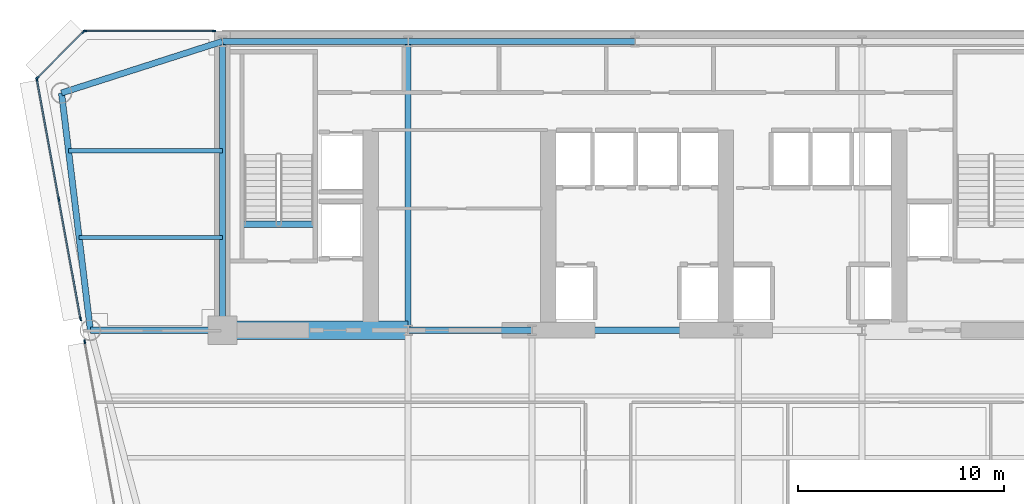
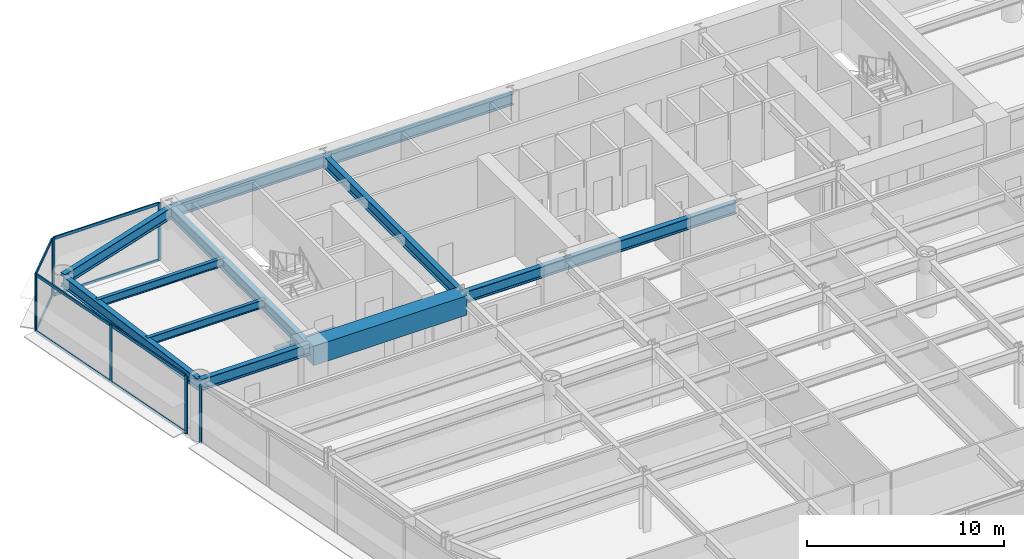
# One storey, part 5 of 14: 16 members, 13 beams, 4 elements without a shape of their own.
"""IFC4 building model written with IfcOpenShell, lengths in metres."""

from ifc_helpers import new_model, si_unit, direction, frame, origin, origin_2d, place, context, subcontext, project, spatial, rectangle, i_section, extrude, source, transform, mapped, material, layer, layer_set, material_profile, profile_set, type_object, element, aggregate, save


model = new_model("IFC4")

# Units and contexts
model_context = context("Model", 3, precision=1e-05, world=origin(), true_north=direction((0.0, 1.0)))
body_context = subcontext(model_context, "Body", "Model", "MODEL_VIEW")
ifc_project = project(units=[si_unit("LENGTHUNIT", "METRE"), si_unit("AREAUNIT", "SQUARE_METRE"), si_unit("VOLUMEUNIT", "CUBIC_METRE"), si_unit("PLANEANGLEUNIT", "RADIAN"), si_unit("MASSUNIT", "GRAM", prefix="KILO")], contexts=[model_context])

# Site, building, storey
site_placement = place(None, origin())
site = spatial("IfcSite", under=ifc_project, at=site_placement, CompositionType="ELEMENT")
building_placement = place(site_placement, origin())
building = spatial("IfcBuilding", under=site, at=building_placement, Name="Vaeldorn Concourse Tower", CompositionType="ELEMENT")
storey_placement = place(building_placement, frame((0.0, 0.0, 111.0)))
storey = spatial("IfcBuildingStorey", under=building, at=storey_placement, Name="L28", CompositionType="ELEMENT", Elevation=111.0)

# Beams
ifc_material_1 = material(Name="Concrete C60/75", Category="concrete")
ifc_material_profile_1 = material_profile(ifc_material_1, rectangle(XDim=0.89990234375, YDim=1.199951171875, at=origin_2d()), Name="RC 900x1200")
ifc_profile_set_1 = profile_set([ifc_material_profile_1], Name="Concrete C60/75")
beam_type_1 = type_object("IfcBeamType", Name="BM-CB-RC900", PredefinedType="BEAM", material=ifc_profile_set_1)
shared_shape_1 = source(origin(), body_context, "Body", "SweptSolid", [
    extrude(rectangle(XDim=0.89990234375, YDim=1.199951171875, at=origin_2d()), origin(), (0.0, 0.0, 1.0), 9.0),
])
beam_1_placement = place(storey_placement, frame((14.0, 36.5, 2.97998046875), z_axis=(1.0, 0.0, 0.0), x_axis=(0.0, 1.0, 0.0)))
element("IfcBeam", 1, at=beam_1_placement, inside=storey, type_object=beam_type_1, Name="Core Coupling Beam L28-1", PredefinedType="BEAM", context=body_context, shape_type="MappedRepresentation", body=[
    mapped(shared_shape_1, transform((0.0, 0.0, 0.0), scale=1.0)),
])
ifc_material_2 = material(Name="Steel S355", Category="steel")
ifc_material_profile_2 = material_profile(ifc_material_2, i_section(OverallWidth=0.300048828125, OverallDepth=0.340087890625, WebThickness=0.011962890625, FlangeThickness=0.021484375, FilletRadius=0.027099609375, at=origin_2d()), Name="HEB 340")
ifc_profile_set_2 = profile_set([ifc_material_profile_2], Name="Steel S355")
beam_type_2 = type_object("IfcBeamType", Name="BM-ST-TRIM", PredefinedType="BEAM", material=ifc_profile_set_2)
shared_shape_2 = source(origin(), body_context, "Body", "SweptSolid", [
    extrude(i_section(OverallWidth=0.300048828125, OverallDepth=0.340087890625, WebThickness=0.011962890625, FlangeThickness=0.021484375, FilletRadius=0.027099609375, at=origin_2d()), origin(), (0.0, 0.0, 1.0), 3.590087890625),
])
beam_2_placement = place(storey_placement, frame((14.929931640625, 41.639892578125, -0.389892578125), z_axis=(1.0, 0.0, 0.0), x_axis=(0.0, 1.0, 0.0)))
element("IfcBeam", 2, at=beam_2_placement, inside=storey, type_object=beam_type_2, Name="Stair Landing Trimmer Beam ST-1 L28", PredefinedType="BEAM", context=body_context, shape_type="MappedRepresentation", body=[
    mapped(shared_shape_2, transform((0.0, 0.0, 0.0), scale=1.0)),
])
ifc_material_profile_3 = material_profile(ifc_material_2, i_section(OverallWidth=0.199951171875, OverallDepth=0.5, WebThickness=0.01025390625, FlangeThickness=0.01611328125, FilletRadius=0.02099609375, at=origin_2d()), Name="IPE 500")
ifc_profile_set_3 = profile_set([ifc_material_profile_3], Name="Steel S355")
beam_type_3 = type_object("IfcBeamType", Name="BM-JS-IPE500", PredefinedType="JOIST", material=ifc_profile_set_3)
shared_shape_3 = source(origin(), body_context, "Body", "SweptSolid", [
    extrude(i_section(OverallWidth=0.199951171875, OverallDepth=0.5, WebThickness=0.01025390625, FlangeThickness=0.01611328125, FilletRadius=0.02099609375, at=origin_2d()), origin(), (0.0, 0.0, 1.0), 6.94775390625),
])
beam_3_placement = place(storey_placement, frame((7.05224609375, 41.0, 3.330078125), z_axis=(1.0, 0.0, 0.0), x_axis=(0.0, 1.0, 0.0)))
element("IfcBeam", 3, at=beam_3_placement, inside=storey, type_object=beam_type_3, Name="Beam JS-L28-NW-410", PredefinedType="JOIST", context=body_context, shape_type="MappedRepresentation", body=[
    mapped(shared_shape_3, transform((0.0, 0.0, 0.0), scale=1.0)),
])
shared_shape_4 = source(origin(), body_context, "Body", "SweptSolid", [
    extrude(i_section(OverallWidth=0.199951171875, OverallDepth=0.5, WebThickness=0.01025390625, FlangeThickness=0.01611328125, FilletRadius=0.02099609375, at=origin_2d()), origin(), (0.0, 0.0, 1.0), 7.458984375),
])
beam_4_placement = place(storey_placement, frame((6.541015625, 45.199951171875, 3.330078125), z_axis=(1.0, 0.0, 0.0), x_axis=(0.0, 1.0, 0.0)))
element("IfcBeam", 4, at=beam_4_placement, inside=storey, type_object=beam_type_3, Name="Beam JS-L28-NW-452", PredefinedType="JOIST", context=body_context, shape_type="MappedRepresentation", body=[
    mapped(shared_shape_4, transform((0.0, 0.0, 0.0), scale=1.0)),
])
ifc_material_profile_4 = material_profile(ifc_material_2, i_section(OverallWidth=0.300048828125, OverallDepth=0.699951171875, WebThickness=0.01708984375, FlangeThickness=0.031982421875, FilletRadius=0.027099609375, at=origin_2d()), Name="HEB 700")
ifc_profile_set_4 = profile_set([ifc_material_profile_4], Name="Steel S355")
beam_type_4 = type_object("IfcBeamType", Name="BM-PG-HEB700", PredefinedType="BEAM", material=ifc_profile_set_4)
shared_shape_5 = source(origin(), body_context, "Body", "SweptSolid", [
    extrude(i_section(OverallWidth=0.300048828125, OverallDepth=0.699951171875, WebThickness=0.01708984375, FlangeThickness=0.031982421875, FilletRadius=0.027099609375, at=origin_2d()), origin(), (0.0, 0.0, 1.0), 6.0),
])
beam_5_placement = place(storey_placement, frame((23.0, 36.5, 3.22998046875), z_axis=(1.0, 0.0, 0.0), x_axis=(0.0, 1.0, 0.0)))
element("IfcBeam", 5, at=beam_5_placement, inside=storey, type_object=beam_type_4, Name="Beam BM-L28-C-FC2-C-FC3", PredefinedType="BEAM", context=body_context, shape_type="MappedRepresentation", body=[
    mapped(shared_shape_5, transform((0.0, 0.0, 0.0), scale=1.0)),
])
shared_shape_6 = source(origin(), body_context, "Body", "SweptSolid", [
    extrude(i_section(OverallWidth=0.300048828125, OverallDepth=0.699951171875, WebThickness=0.01708984375, FlangeThickness=0.031982421875, FilletRadius=0.027099609375, at=origin_2d()), origin(), (0.0, 0.0, 1.0), 10.0),
])
beam_6_placement = place(storey_placement, frame((29.0, 36.5, 3.22998046875), z_axis=(1.0, 0.0, 0.0), x_axis=(0.0, 1.0, 0.0)))
element("IfcBeam", 6, at=beam_6_placement, inside=storey, type_object=beam_type_4, Name="Beam BM-L28-C-FC3-C-FC4", PredefinedType="BEAM", context=body_context, shape_type="MappedRepresentation", body=[
    mapped(shared_shape_6, transform((0.0, 0.0, 0.0), scale=1.0)),
])
shared_shape_7 = source(origin(), body_context, "Body", "SweptSolid", [
    extrude(i_section(OverallWidth=0.300048828125, OverallDepth=0.699951171875, WebThickness=0.01708984375, FlangeThickness=0.031982421875, FilletRadius=0.027099609375, at=origin_2d()), origin(), (0.0, 0.0, 1.0), 9.0),
])
beam_7_placement = place(storey_placement, frame((14.0, 50.5, 3.22998046875), z_axis=(1.0, 0.0, 0.0), x_axis=(0.0, 1.0, 0.0)))
element("IfcBeam", 7, at=beam_7_placement, inside=storey, type_object=beam_type_4, Name="Beam BM-L28-C-HC1-C-HC2", PredefinedType="BEAM", context=body_context, shape_type="MappedRepresentation", body=[
    mapped(shared_shape_7, transform((0.0, 0.0, 0.0), scale=1.0)),
])
shared_shape_8 = source(origin(), body_context, "Body", "SweptSolid", [
    extrude(i_section(OverallWidth=0.300048828125, OverallDepth=0.699951171875, WebThickness=0.01708984375, FlangeThickness=0.031982421875, FilletRadius=0.027099609375, at=origin_2d()), origin(), (0.0, 0.0, 1.0), 11.0),
])
beam_8_placement = place(storey_placement, frame((23.0, 50.5, 3.22998046875), z_axis=(1.0, 0.0, 0.0), x_axis=(0.0, 1.0, 0.0)))
element("IfcBeam", 8, at=beam_8_placement, inside=storey, type_object=beam_type_4, Name="Beam BM-L28-C-HC2-C-HC3", PredefinedType="BEAM", context=body_context, shape_type="MappedRepresentation", body=[
    mapped(shared_shape_8, transform((0.0, 0.0, 0.0), scale=1.0)),
])
shared_shape_9 = source(origin(), body_context, "Body", "SweptSolid", [
    extrude(i_section(OverallWidth=0.300048828125, OverallDepth=0.699951171875, WebThickness=0.01708984375, FlangeThickness=0.031982421875, FilletRadius=0.027099609375, at=origin_2d()), origin(), (0.0, 0.0, 1.0), 14.0),
])
for number, where, z_axis, x_axis, name in (
    (9, (14.0, 36.5, 3.22998046875), (0.0, 1.0, 0.0), (-1.0, 0.0, 0.0), "Beam BM-L28-C-FC1-C-HC1"),
    (10, (23.0, 36.5, 3.22998046875), (0.0, 1.0, 0.0), (-1.0, 0.0, 0.0), "Beam BM-L28-C-FC2-C-HC2"),
):
    element("IfcBeam", number, at=place(storey_placement, frame(where, z_axis=z_axis, x_axis=x_axis)), inside=storey, type_object=beam_type_4, Name=name, PredefinedType="BEAM", context=body_context, shape_type="MappedRepresentation", body=[
        mapped(shared_shape_9, transform((0.0, 0.0, 0.0), scale=1.0)),
    ])
shared_shape_10 = source(origin(), body_context, "Body", "SweptSolid", [
    extrude(i_section(OverallWidth=0.300048828125, OverallDepth=0.699951171875, WebThickness=0.01708984375, FlangeThickness=0.031982421875, FilletRadius=0.027099609375, at=origin_2d()), origin(), (0.0, 0.0, 1.0), 8.19091796875),
])
beam_9_placement = place(storey_placement, frame((6.199951171875, 48.0, 3.22998046875), z_axis=(0.952282843383, 0.305216949396, 0.0), x_axis=(-0.305216949396, 0.952282843383, 0.0)))
element("IfcBeam", 11, at=beam_9_placement, inside=storey, type_object=beam_type_4, Name="Beam BM-L28-C-NW1-C-HC1", PredefinedType="BEAM", context=body_context, shape_type="MappedRepresentation", body=[
    mapped(shared_shape_10, transform((0.0, 0.0, 0.0), scale=1.0)),
])
shared_shape_11 = source(origin(), body_context, "Body", "SweptSolid", [
    extrude(i_section(OverallWidth=0.300048828125, OverallDepth=0.699951171875, WebThickness=0.01708984375, FlangeThickness=0.031982421875, FilletRadius=0.027099609375, at=origin_2d()), origin(), (0.0, 0.0, 1.0), 11.5849609375),
])
beam_10_placement = place(storey_placement, frame((6.199951171875, 48.0, 3.22998046875), z_axis=(0.120859382899, -0.992669637677, 0.0), x_axis=(0.992669637677, 0.120859382899, 0.0)))
element("IfcBeam", 12, at=beam_10_placement, inside=storey, type_object=beam_type_4, Name="Beam BM-L28-C-NW1-C-NW2", PredefinedType="BEAM", context=body_context, shape_type="MappedRepresentation", body=[
    mapped(shared_shape_11, transform((0.0, 0.0, 0.0), scale=1.0)),
])
shared_shape_12 = source(origin(), body_context, "Body", "SweptSolid", [
    extrude(i_section(OverallWidth=0.300048828125, OverallDepth=0.699951171875, WebThickness=0.01708984375, FlangeThickness=0.031982421875, FilletRadius=0.027099609375, at=origin_2d()), origin(), (0.0, 0.0, 1.0), 6.39990234375),
])
beam_11_placement = place(storey_placement, frame((7.60009765625, 36.5, 3.22998046875), z_axis=(1.0, 0.0, 0.0), x_axis=(0.0, 1.0, 0.0)))
element("IfcBeam", 13, at=beam_11_placement, inside=storey, type_object=beam_type_4, Name="Beam BM-L28-C-NW2-C-FC1", PredefinedType="BEAM", context=body_context, shape_type="MappedRepresentation", body=[
    mapped(shared_shape_12, transform((0.0, 0.0, 0.0), scale=1.0)),
])

# Curtain wall, members
ifc_material_3 = material(Name="Anodised Bronze Aluminium", Category="aluminium")
ifc_layer = layer(ifc_material_3, 0.199951171875)
ifc_layer_set = layer_set([ifc_layer], Name="Anodised Bronze Aluminium")
curtain_wall_type = type_object("IfcCurtainWallType", Name="CW-SYS-02", PredefinedType="NOTDEFINED", material=ifc_layer_set)
curtain_wall_1_placement = place(storey_placement, origin())
curtain_wall_1 = element("IfcCurtainWall", 14, at=curtain_wall_1_placement, inside=storey, type_object=curtain_wall_type, Name="Unitised Curtain Wall CW-L28-E10-1", PredefinedType="NOTDEFINED")
ifc_material_profile_5 = material_profile(ifc_material_3, rectangle(XDim=0.074951171875, YDim=0.179931640625, at=origin_2d()), Name="CWT 75x180")
ifc_profile_set_5 = profile_set([ifc_material_profile_5], Name="Anodised Bronze Aluminium")
member_type_1 = type_object("IfcMemberType", Name="CWT-BRONZE-180", PredefinedType="USERDEFINED", material=ifc_profile_set_5)
shared_shape_13 = source(origin(), body_context, "Body", "SweptSolid", [
    extrude(rectangle(XDim=0.074951171875, YDim=0.179931640625, at=origin_2d()), origin(), (0.0, 0.0, 1.0), 3.10302734375),
])
member_1_placement = place(storey_placement, frame((7.2470703125, 50.947021484375, 0.03759765625), z_axis=(-0.707106781187, -0.707106781187, 0.0), x_axis=(0.707106781187, -0.707106781187, 0.0)))
member_1 = element("IfcMember", 15, at=member_1_placement, type_object=member_type_1, Name="CW-02 transom 1.1", ObjectType="TRANSOM", PredefinedType="USERDEFINED", context=body_context, shape_type="MappedRepresentation", body=[
    mapped(shared_shape_13, transform((0.0, 0.0, 0.0), scale=1.0)),
])
member_2_placement = place(storey_placement, frame((7.2470703125, 50.947021484375, 3.54248046875), z_axis=(-0.707106781187, -0.707106781187, 0.0), x_axis=(0.707106781187, -0.707106781187, 0.0)))
member_2 = element("IfcMember", 16, at=member_2_placement, type_object=member_type_1, Name="CW-02 transom 1.2", ObjectType="TRANSOM", PredefinedType="USERDEFINED", context=body_context, shape_type="MappedRepresentation", body=[
    mapped(shared_shape_13, transform((0.0, 0.0, 0.0), scale=1.0)),
])

curtain_wall_2_placement = place(storey_placement, origin())
curtain_wall_2 = element("IfcCurtainWall", 17, at=curtain_wall_2_placement, inside=storey, type_object=curtain_wall_type, Name="Unitised Curtain Wall CW-L28-E09-2", PredefinedType="NOTDEFINED")
ifc_material_profile_6 = material_profile(ifc_material_3, rectangle(XDim=0.074951171875, YDim=0.18994140625, at=origin_2d()), Name="CWM 75x190")
ifc_profile_set_6 = profile_set([ifc_material_profile_6], Name="Anodised Bronze Aluminium")
member_type_2 = type_object("IfcMemberType", Name="CWM-BRONZE-190", PredefinedType="MULLION", material=ifc_profile_set_6)
shared_shape_14 = source(origin(), body_context, "Body", "SweptSolid", [
    extrude(rectangle(XDim=0.074951171875, YDim=0.18994140625, at=origin_2d()), origin(), (0.0, 0.0, 1.0), 3.580078125),
])
member_3_placement = place(storey_placement, frame((13.592529296875, 51.0, 0.0), z_axis=(0.0, 0.0, 1.0), x_axis=(0.0, -1.0, 0.0)))
member_3 = element("IfcMember", 18, at=member_3_placement, type_object=member_type_2, Name="CW-02 mullion 1", PredefinedType="MULLION", context=body_context, shape_type="MappedRepresentation", body=[
    mapped(shared_shape_14, transform((0.0, 0.0, 0.0), scale=1.0)),
])
member_4_placement = place(storey_placement, frame((7.33740234375, 51.0, 0.0), z_axis=(0.0, 0.0, 1.0), x_axis=(0.0, -1.0, 0.0)))
member_4 = element("IfcMember", 19, at=member_4_placement, type_object=member_type_2, Name="CW-02 mullion 2", PredefinedType="MULLION", context=body_context, shape_type="MappedRepresentation", body=[
    mapped(shared_shape_14, transform((0.0, 0.0, 0.0), scale=1.0)),
])

# Member
member_5_placement = place(storey_placement, frame((7.2734375, 50.973388671875, 0.0), z_axis=(0.0, 0.0, 1.0), x_axis=(0.707106781187, -0.707106781187, 0.0)))
member_5 = element("IfcMember", 20, at=member_5_placement, type_object=member_type_2, Name="CW-02 mullion 1", PredefinedType="MULLION", context=body_context, shape_type="MappedRepresentation", body=[
    mapped(shared_shape_14, transform((0.0, 0.0, 0.0), scale=1.0)),
])

member_6_placement = place(storey_placement, frame((5.026611328125, 48.7265625, 0.0), z_axis=(0.0, 0.0, 1.0), x_axis=(0.707106781187, -0.707106781187, 0.0)))
member_6 = element("IfcMember", 21, at=member_6_placement, type_object=member_type_2, Name="CW-02 mullion 2", PredefinedType="MULLION", context=body_context, shape_type="MappedRepresentation", body=[
    mapped(shared_shape_14, transform((0.0, 0.0, 0.0), scale=1.0)),
])

aggregate(curtain_wall_1, [member_5, member_6, member_1, member_2])

# Curtain wall, members
curtain_wall_3_placement = place(storey_placement, origin())
curtain_wall_3 = element("IfcCurtainWall", 22, at=curtain_wall_3_placement, inside=storey, type_object=curtain_wall_type, Name="Unitised Curtain Wall CW-L28-E11-1", PredefinedType="NOTDEFINED")
member_7_placement = place(storey_placement, frame((5.0068359375, 48.6630859375, 0.0), z_axis=(0.0, 0.0, 1.0), x_axis=(0.983812052826, 0.179203361335, 0.0)))
member_7 = element("IfcMember", 23, at=member_7_placement, type_object=member_type_2, Name="CW-02 mullion 1", PredefinedType="MULLION", context=body_context, shape_type="MappedRepresentation", body=[
    mapped(shared_shape_14, transform((0.0, 0.0, 0.0), scale=1.0)),
])
member_8_placement = place(storey_placement, frame((6.06396484375, 42.85888671875, 0.0), z_axis=(0.0, 0.0, 1.0), x_axis=(0.983812052826, 0.179203361335, 0.0)))
member_8 = element("IfcMember", 24, at=member_8_placement, type_object=member_type_2, Name="CW-02 mullion 2", PredefinedType="MULLION", context=body_context, shape_type="MappedRepresentation", body=[
    mapped(shared_shape_14, transform((0.0, 0.0, 0.0), scale=1.0)),
])
member_9_placement = place(storey_placement, frame((7.12109375, 37.054931640625, 0.0), z_axis=(0.0, 0.0, 1.0), x_axis=(0.983812052826, 0.179203361335, 0.0)))
member_9 = element("IfcMember", 25, at=member_9_placement, type_object=member_type_2, Name="CW-02 mullion 3", PredefinedType="MULLION", context=body_context, shape_type="MappedRepresentation", body=[
    mapped(shared_shape_14, transform((0.0, 0.0, 0.0), scale=1.0)),
])

# Curtain wall, member
curtain_wall_4_placement = place(storey_placement, origin())
curtain_wall_4 = element("IfcCurtainWall", 26, at=curtain_wall_4_placement, inside=storey, type_object=curtain_wall_type, Name="Unitised Curtain Wall CW-L28-E11-2", PredefinedType="NOTDEFINED")
member_10_placement = place(storey_placement, frame((7.3232421875, 35.945068359375, 0.0), z_axis=(0.0, 0.0, 1.0), x_axis=(0.983811547347, 0.179206136352, 0.0)))
member_10 = element("IfcMember", 27, at=member_10_placement, type_object=member_type_2, Name="CW-02 mullion 1", PredefinedType="MULLION", context=body_context, shape_type="MappedRepresentation", body=[
    mapped(shared_shape_14, transform((0.0, 0.0, 0.0), scale=1.0)),
])
aggregate(curtain_wall_4, [member_10])

# Member
shared_shape_15 = source(origin(), body_context, "Body", "SweptSolid", [
    extrude(rectangle(XDim=0.074951171875, YDim=0.179931640625, at=origin_2d()), origin(), (0.0, 0.0, 1.0), 6.179931640625),
])
member_11_placement = place(storey_placement, frame((13.554931640625, 51.0, 0.03759765625), z_axis=(-1.0, 0.0, 0.0), x_axis=(0.0, -1.0, 0.0)))
member_11 = element("IfcMember", 28, at=member_11_placement, type_object=member_type_1, Name="CW-02 transom 1.1", ObjectType="TRANSOM", PredefinedType="USERDEFINED", context=body_context, shape_type="MappedRepresentation", body=[
    mapped(shared_shape_15, transform((0.0, 0.0, 0.0), scale=1.0)),
])

member_12_placement = place(storey_placement, frame((13.554931640625, 51.0, 3.54248046875), z_axis=(-1.0, 0.0, 0.0), x_axis=(0.0, -1.0, 0.0)))
member_12 = element("IfcMember", 29, at=member_12_placement, type_object=member_type_1, Name="CW-02 transom 1.2", ObjectType="TRANSOM", PredefinedType="USERDEFINED", context=body_context, shape_type="MappedRepresentation", body=[
    mapped(shared_shape_15, transform((0.0, 0.0, 0.0), scale=1.0)),
])

aggregate(curtain_wall_2, [member_3, member_4, member_11, member_12])

shared_shape_16 = source(origin(), body_context, "Body", "SweptSolid", [
    extrude(rectangle(XDim=0.074951171875, YDim=0.179931640625, at=origin_2d()), origin(), (0.0, 0.0, 1.0), 5.824462890625),
])
member_13_placement = place(storey_placement, frame((5.013427734375, 48.626220703125, 0.03759765625), z_axis=(0.179191585174, -0.983814197805, 0.0), x_axis=(0.983814197805, 0.179191585174, 0.0)))
member_13 = element("IfcMember", 30, at=member_13_placement, type_object=member_type_1, Name="CW-02 transom 1.1", ObjectType="TRANSOM", PredefinedType="USERDEFINED", context=body_context, shape_type="MappedRepresentation", body=[
    mapped(shared_shape_16, transform((0.0, 0.0, 0.0), scale=1.0)),
])

member_14_placement = place(storey_placement, frame((5.013427734375, 48.626220703125, 3.54248046875), z_axis=(0.179191585174, -0.983814197805, 0.0), x_axis=(0.983814197805, 0.179191585174, 0.0)))
member_14 = element("IfcMember", 31, at=member_14_placement, type_object=member_type_1, Name="CW-02 transom 1.2", ObjectType="TRANSOM", PredefinedType="USERDEFINED", context=body_context, shape_type="MappedRepresentation", body=[
    mapped(shared_shape_16, transform((0.0, 0.0, 0.0), scale=1.0)),
])

member_15_placement = place(storey_placement, frame((6.070556640625, 42.822021484375, 0.03759765625), z_axis=(0.179232154965, -0.983806807573, 0.0), x_axis=(0.983806807573, 0.179232154965, 0.0)))
member_15 = element("IfcMember", 32, at=member_15_placement, type_object=member_type_1, Name="CW-02 transom 2.1", ObjectType="TRANSOM", PredefinedType="USERDEFINED", context=body_context, shape_type="MappedRepresentation", body=[
    mapped(shared_shape_16, transform((0.0, 0.0, 0.0), scale=1.0)),
])

member_16_placement = place(storey_placement, frame((6.070556640625, 42.822021484375, 3.54248046875), z_axis=(0.179232154965, -0.983806807573, 0.0), x_axis=(0.983806807573, 0.179232154965, 0.0)))
member_16 = element("IfcMember", 33, at=member_16_placement, type_object=member_type_1, Name="CW-02 transom 2.2", ObjectType="TRANSOM", PredefinedType="USERDEFINED", context=body_context, shape_type="MappedRepresentation", body=[
    mapped(shared_shape_16, transform((0.0, 0.0, 0.0), scale=1.0)),
])

aggregate(curtain_wall_3, [member_7, member_8, member_9, member_13, member_14, member_15, member_16])

save(model, "model.ifc")
